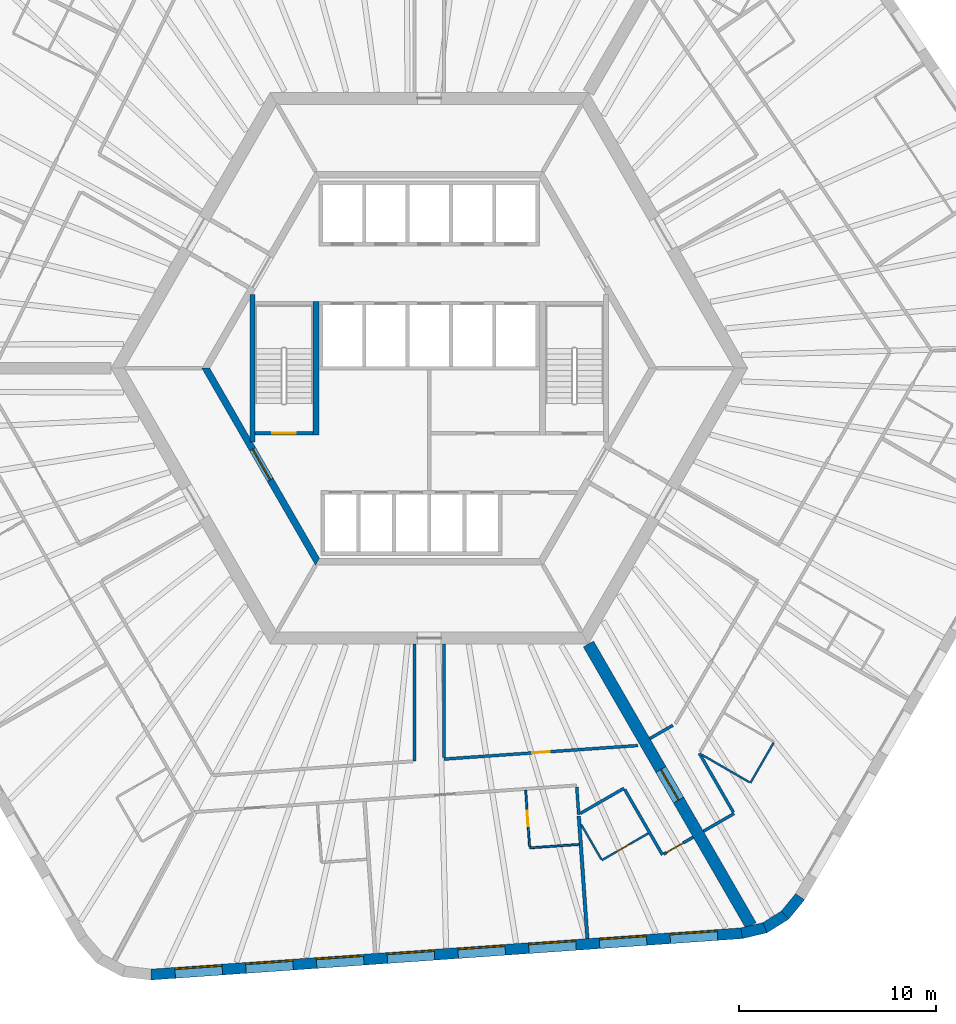
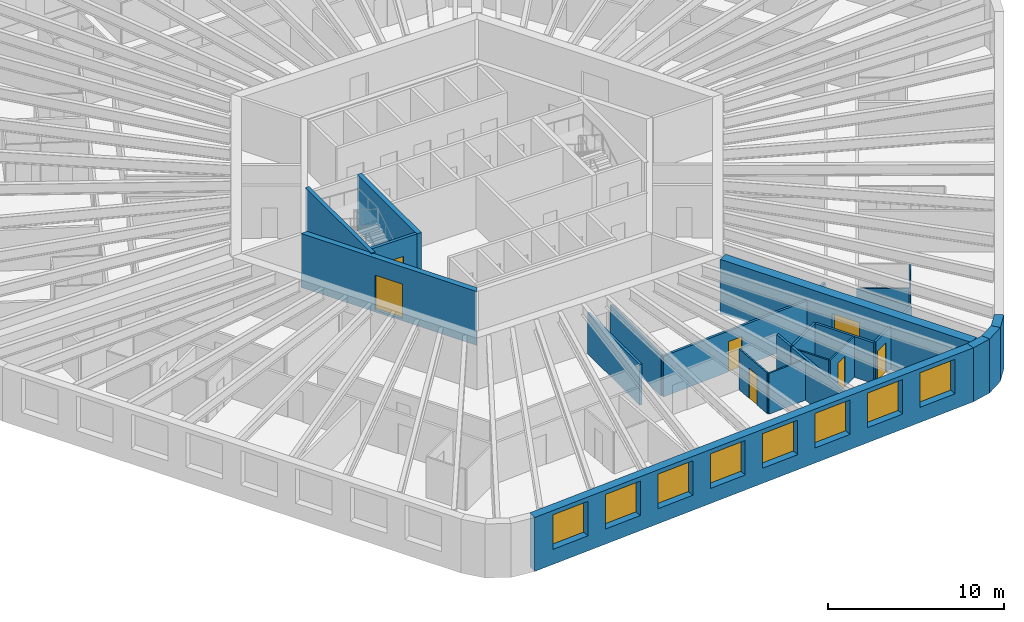
# One storey, part 4 of 12: 26 walls, 8 windows, 7 doors, 15 openings.
"""IFC4 building model written with IfcOpenShell, lengths in metres."""

from ifc_helpers import new_model, si_unit, direction, frame, frame_2d, origin, place, context, subcontext, project, spatial, polyline, rectangle, outline, extrude, material, layer, layer_set, type_object, element, fill, save


model = new_model("IFC4")

# Units and contexts
model_context = context("Model", 3, precision=1e-05, world=origin(), true_north=direction((0.0, 1.0)))
body_context = subcontext(model_context, "Body", "Model", "MODEL_VIEW")
ifc_project = project(units=[si_unit("LENGTHUNIT", "METRE"), si_unit("AREAUNIT", "SQUARE_METRE"), si_unit("VOLUMEUNIT", "CUBIC_METRE"), si_unit("PLANEANGLEUNIT", "RADIAN"), si_unit("MASSUNIT", "GRAM", prefix="KILO")], contexts=[model_context])

# Site, building, storey
site_placement = place(None, origin())
site = spatial("IfcSite", under=ifc_project, at=site_placement, CompositionType="ELEMENT")
building_placement = place(site_placement, origin())
building = spatial("IfcBuilding", under=site, at=building_placement, Name="Tarnside Tower", CompositionType="ELEMENT")
storey_placement = place(building_placement, frame((0.0, 0.0, 142.800048828125)))
storey = spatial("IfcBuildingStorey", under=building, at=storey_placement, Name="L33", CompositionType="ELEMENT", Elevation=142.800048828125)

# Wall
ifc_material_1 = material(Name="Gypsum board partition on steel studs", Category="steel")
ifc_layer_1 = layer(ifc_material_1, 0.10009765625)
ifc_layer_set_1 = layer_set([ifc_layer_1], Name="Bathroom wall 100")
wall_type_1 = type_object("IfcWallType", Name="Bathroom wall 100", PredefinedType="PARTITIONING", material=ifc_layer_set_1)
wall_1_placement = place(storey_placement, frame((7.60400390625, -24.178466796875, 0.0), z_axis=(0.0, 0.0, 1.0), x_axis=(-0.997565196586, -0.069740078583, 0.0)))
element("IfcWall", 1, at=wall_1_placement, inside=storey, type_object=wall_type_1, Name="Bathroom wall 10125", PredefinedType="PARTITIONING", context=body_context, shape_type="SweptSolid", body=[
    extrude(rectangle(XDim=2.510009765625, YDim=0.10009765625, at=frame_2d((1.2548828125, 0.0))), origin(), (0.0, 0.0, 1.0), 2.837646484375),
])

# Wall, opening, door
wall_2_placement = place(storey_placement, frame((5.0966796875, -24.3037109375, 0.0), z_axis=(0.0, 0.0, 1.0), x_axis=(-0.069804620828, 0.99756068232, 0.0)))
wall_2 = element("IfcWall", 2, at=wall_2_placement, inside=storey, type_object=wall_type_1, Name="Bathroom wall 10126", PredefinedType="PARTITIONING", context=body_context, shape_type="SweptSolid", body=[
    extrude(rectangle(XDim=2.875, YDim=0.10009765625, at=frame_2d((1.4375, 0.0))), origin(), (0.0, 0.0, 1.0), 2.837646484375),
])
opening_1_placement = place(wall_2_placement, frame((1.050048828125, 0.0, 0.0)))
opening_1 = element("IfcOpeningElement", 3, at=opening_1_placement, cuts=wall_2, Name="Opening D-B1", PredefinedType="OPENING", context=body_context, shape_type="SweptSolid", body=[
    extrude(rectangle(XDim=0.800048828125, YDim=2.10009765625, at=frame_2d((0.39990234375, 1.050048828125))), frame((0.0, 0.06005859375, 0.0), z_axis=(0.0, -1.0, 0.0), x_axis=(1.0, 0.0, 0.0)), (0.0, 0.0, 1.0), 0.1201171875),
])
ifc_material_2 = material(Name="Timber door leaf", Category="wood")
door_type_1 = type_object("IfcDoorType", Name="Bathroom door 800", OperationType="NOTDEFINED", PredefinedType="DOOR", material=ifc_material_2)
door_1_placement = place(opening_1_placement, origin())
door_1 = element("IfcDoor", 4, at=door_1_placement, inside=storey, type_object=door_type_1, Name="Bathroom door 10026", OperationType="SINGLE_SWING_RIGHT", OverallHeight=2.10009765625, OverallWidth=0.800048828125, PredefinedType="DOOR", context=body_context, shape_type="SweptSolid", body=[
    extrude(rectangle(XDim=0.800048828125, YDim=2.10009765625, at=frame_2d((0.39990234375, 1.050048828125))), frame((0.0, 0.02490234375, 0.0), z_axis=(0.0, -1.0, 0.0), x_axis=(1.0, 0.0, 0.0)), (0.0, 0.0, 1.0), 0.050048828125),
])
fill(opening_1, door_1)

wall_3_placement = place(storey_placement, frame((11.123291015625, -23.615966796875, 0.0), z_axis=(0.0, 0.0, 1.0), x_axis=(-0.866034909742, -0.499983534837, 0.0)))
wall_3 = element("IfcWall", 5, at=wall_3_placement, inside=storey, type_object=wall_type_1, Name="Bathroom wall 10130", PredefinedType="PARTITIONING", context=body_context, shape_type="SweptSolid", body=[
    extrude(rectangle(XDim=2.72509765625, YDim=0.10009765625, at=frame_2d((1.362548828125, 0.0))), origin(), (0.0, 0.0, 1.0), 2.837646484375),
])
opening_2_placement = place(wall_3_placement, frame((1.06494140625, 0.0, 0.0)))
opening_2 = element("IfcOpeningElement", 6, at=opening_2_placement, cuts=wall_3, Name="Opening D-B1", PredefinedType="OPENING", context=body_context, shape_type="SweptSolid", body=[
    extrude(rectangle(XDim=0.800048828125, YDim=2.10009765625, at=frame_2d((0.39990234375, 1.050048828125))), frame((0.0, 0.06005859375, 0.0), z_axis=(0.0, -1.0, 0.0), x_axis=(1.0, 0.0, 0.0)), (0.0, 0.0, 1.0), 0.1201171875),
])
door_2_placement = place(opening_2_placement, origin())
door_2 = element("IfcDoor", 7, at=door_2_placement, inside=storey, type_object=door_type_1, Name="Bathroom door 10028", OperationType="SINGLE_SWING_LEFT", OverallHeight=2.10009765625, OverallWidth=0.800048828125, PredefinedType="DOOR", context=body_context, shape_type="SweptSolid", body=[
    extrude(rectangle(XDim=0.800048828125, YDim=2.10009765625, at=frame_2d((0.39990234375, 1.050048828125))), frame((0.0, 0.02490234375, 0.0), z_axis=(0.0, -1.0, 0.0), x_axis=(1.0, 0.0, 0.0)), (0.0, 0.0, 1.0), 0.050048828125),
])
fill(opening_2, door_2)

# Walls
wall_4_placement = place(storey_placement, frame((8.73828125, -24.93505859375, 0.0), z_axis=(0.0, 0.0, 1.0), x_axis=(-0.500045446624, 0.865999163574, 0.0)))
element("IfcWall", 8, at=wall_4_placement, inside=storey, type_object=wall_type_1, Name="Bathroom wall 10131", PredefinedType="PARTITIONING", context=body_context, shape_type="SweptSolid", body=[
    extrude(rectangle(XDim=2.050048828125, YDim=0.10009765625, at=frame_2d((1.02490234375, 0.0))), origin(), (0.0, 0.0, 1.0), 2.837646484375),
])
wall_5_placement = place(storey_placement, frame((17.485107421875, -19.014892578125, 0.0), z_axis=(0.0, 0.0, 1.0), x_axis=(-0.500016218704, -0.866016039709, 0.0)))
element("IfcWall", 9, at=wall_5_placement, inside=storey, type_object=wall_type_1, Name="Bathroom wall 10133", PredefinedType="PARTITIONING", context=body_context, shape_type="SweptSolid", body=[
    extrude(rectangle(XDim=2.35009765625, YDim=0.10009765625, at=frame_2d((1.175048828125, 0.0))), origin(), (0.0, 0.0, 1.0), 2.837646484375),
])
wall_6_placement = place(storey_placement, frame((16.266845703125, -21.02490234375, 0.0), z_axis=(0.0, 0.0, 1.0), x_axis=(-0.866034573852, 0.49998411664, 0.0)))
element("IfcWall", 10, at=wall_6_placement, inside=storey, type_object=wall_type_1, Name="Bathroom wall 10134", PredefinedType="PARTITIONING", context=body_context, shape_type="SweptSolid", body=[
    extrude(rectangle(XDim=2.7998046875, YDim=0.10009765625, at=frame_2d((1.39990234375, 0.0))), origin(), (0.0, 0.0, 1.0), 2.837646484375),
])

# Wall, opening, door
ifc_material_3 = material(Name="Concrete C50/60", Category="concrete")
ifc_layer_2 = layer(ifc_material_3, 0.35009765625)
ifc_layer_set_2 = layer_set([ifc_layer_2], Name="Core block wall 350 C50/60")
wall_type_2 = type_object("IfcWallType", Name="Core block wall 350 C50/60", PredefinedType="SHEAR", material=ifc_layer_set_2)
wall_7_placement = place(storey_placement, frame((-11.344970703125, 0.0, -0.150146484375), z_axis=(0.0, 0.0, 1.0), x_axis=(0.499995046907, -0.866028263435, 0.0)))
wall_7 = element("IfcWall", 11, at=wall_7_placement, inside=storey, type_object=wall_type_2, Name="L33 core block wall face 3", PredefinedType="SHEAR", context=body_context, shape_type="SweptSolid", body=[
    extrude(outline(polyline([(-0.10107421875, -0.175048828125), (11.44580078125, -0.175048828125), (11.24365234375, 0.175048828125), (0.10107421875, 0.175048828125), (-0.10107421875, -0.175048828125)])), origin(), (0.0, 0.0, 1.0), 3.75),
])
opening_3_placement = place(wall_7_placement, frame((4.74365234375, 0.0, 0.14990234375)))
opening_3 = element("IfcOpeningElement", 12, at=opening_3_placement, cuts=wall_7, Name="Opening CD-FFL", PredefinedType="OPENING", context=body_context, shape_type="SweptSolid", body=[
    extrude(rectangle(XDim=1.800048828125, YDim=2.39990234375, at=frame_2d((0.89990234375, 1.199951171875))), frame((0.0, 0.18505859375, 0.0), z_axis=(0.0, -1.0, 0.0), x_axis=(1.0, 0.0, 0.0)), (0.0, 0.0, 1.0), 0.3701171875),
])
ifc_material_4 = material(Name="Steel fire door", Category="steel")
door_type_2 = type_object("IfcDoorType", Name="Firefighting lobby double door FD60S 1800x2400", OperationType="NOTDEFINED", PredefinedType="DOOR", material=ifc_material_4)
door_3_placement = place(opening_3_placement, origin())
door_3 = element("IfcDoor", 13, at=door_3_placement, inside=storey, type_object=door_type_2, Name="L33 lobby block door P3", OperationType="DOUBLE_DOOR_SINGLE_SWING", OverallHeight=2.39990234375, OverallWidth=1.800048828125, PredefinedType="DOOR", context=body_context, shape_type="SweptSolid", body=[
    extrude(rectangle(XDim=1.800048828125, YDim=2.39990234375, at=frame_2d((0.89990234375, 1.199951171875))), frame((0.0, 0.02490234375, 0.0), z_axis=(0.0, -1.0, 0.0), x_axis=(1.0, 0.0, 0.0)), (0.0, 0.0, 1.0), 0.050048828125),
])
fill(opening_3, door_3)

ifc_material_5 = material(Name="Concrete C80/95", Category="concrete")
ifc_layer_3 = layer(ifc_material_5, 0.60009765625)
ifc_layer_set_3 = layer_set([ifc_layer_3], Name="Core wall Z1 600 C80/95")
wall_type_3 = type_object("IfcWallType", Name="Core wall Z1 600 C80/95", PredefinedType="SHEAR", material=ifc_layer_set_3)
wall_8_placement = place(storey_placement, frame((8.0830078125, -14.0, -0.150146484375), z_axis=(0.0, 0.0, 1.0), x_axis=(0.499997680643, -0.866026742862, 0.0)))
wall_8 = element("IfcWall", 14, at=wall_8_placement, inside=storey, type_object=wall_type_3, Name="L33 spine wall 3", PredefinedType="SHEAR", context=body_context, shape_type="SweptSolid", body=[
    extrude(rectangle(XDim=16.5087890625, YDim=0.60009765625, at=frame_2d((8.25439453125, 0.0))), origin(), (0.0, 0.0, 1.0), 3.75),
])
opening_4_placement = place(wall_8_placement, frame((7.3544921875, 0.0, 0.14990234375)))
opening_4 = element("IfcOpeningElement", 15, at=opening_4_placement, cuts=wall_8, Name="Opening CD-SPN", PredefinedType="OPENING", context=body_context, shape_type="SweptSolid", body=[
    extrude(rectangle(XDim=1.800048828125, YDim=2.39990234375, at=frame_2d((0.89990234375, 1.199951171875))), frame((0.0, 0.31005859375, 0.0), z_axis=(0.0, -1.0, 0.0), x_axis=(1.0, 0.0, 0.0)), (0.0, 0.0, 1.0), 0.6201171875),
])
door_type_3 = type_object("IfcDoorType", Name="Spine passage double door FD60 1800x2400", OperationType="NOTDEFINED", PredefinedType="DOOR", material=ifc_material_4)
door_4_placement = place(opening_4_placement, origin())
door_4 = element("IfcDoor", 16, at=door_4_placement, inside=storey, type_object=door_type_3, Name="L33 spine passage door 3", OperationType="DOUBLE_DOOR_SINGLE_SWING", OverallHeight=2.39990234375, OverallWidth=1.800048828125, PredefinedType="DOOR", context=body_context, shape_type="SweptSolid", body=[
    extrude(rectangle(XDim=1.800048828125, YDim=2.39990234375, at=frame_2d((0.89990234375, 1.199951171875))), frame((0.0, 0.02490234375, 0.0), z_axis=(0.0, -1.0, 0.0), x_axis=(1.0, 0.0, 0.0)), (0.0, 0.0, 1.0), 0.050048828125),
])
fill(opening_4, door_4)

# Walls
ifc_layer_4 = layer(ifc_material_1, 0.14990234375)
ifc_layer_set_4 = layer_set([ifc_layer_4], Name="Corridor wall 150 EI 60")
wall_type_4 = type_object("IfcWallType", Name="Corridor wall 150 EI 60", PredefinedType="PARTITIONING", material=ifc_layer_set_4)
wall_9_placement = place(storey_placement, frame((7.48974609375, -21.25439453125, 0.0), z_axis=(0.0, 0.0, 1.0), x_axis=(0.069718673592, -0.997566692784, 0.0)))
element("IfcWall", 17, at=wall_9_placement, inside=storey, type_object=wall_type_4, Name="Corridor wall 10037", PredefinedType="PARTITIONING", context=body_context, shape_type="SweptSolid", body=[
    extrude(rectangle(XDim=1.40771484375, YDim=0.14990234375, at=frame_2d((0.703857421875, 0.0))), origin(), (0.0, 0.0, 1.0), 2.837646484375),
])
wall_10_placement = place(storey_placement, frame((9.925537109375, -21.391845703125, 0.0), z_axis=(0.0, 0.0, 1.0), x_axis=(0.500031306162, -0.866007328409, 0.0)))
element("IfcWall", 18, at=wall_10_placement, inside=storey, type_object=wall_type_4, Name="Corridor wall 10038", PredefinedType="PARTITIONING", context=body_context, shape_type="SweptSolid", body=[
    extrude(rectangle(XDim=3.831787109375, YDim=0.14990234375, at=frame_2d((1.916015625, 0.0))), origin(), (0.0, 0.0, 1.0), 2.837646484375),
])

# Wall, opening, door
wall_11_placement = place(storey_placement, frame((11.906494140625, -24.672607421875, 0.0), z_axis=(0.0, 0.0, 1.0), x_axis=(0.866013532718, 0.500020560727, 0.0)))
wall_11 = element("IfcWall", 19, at=wall_11_placement, inside=storey, type_object=wall_type_4, Name="Corridor wall 10039", PredefinedType="PARTITIONING", context=body_context, shape_type="SweptSolid", body=[
    extrude(rectangle(XDim=1.72509765625, YDim=0.14990234375, at=frame_2d((0.862548828125, 0.0))), origin(), (0.0, 0.0, 1.0), 2.837646484375),
])
opening_5_placement = place(wall_11_placement, frame((0.14990234375, 0.0, 0.0)))
opening_5 = element("IfcOpeningElement", 20, at=opening_5_placement, cuts=wall_11, Name="Opening D-E1", PredefinedType="OPENING", context=body_context, shape_type="SweptSolid", body=[
    extrude(rectangle(XDim=1.0, YDim=2.10009765625, at=frame_2d((0.5, 1.050048828125))), frame((0.0, 0.0849609375, 0.0), z_axis=(0.0, -1.0, 0.0), x_axis=(1.0, 0.0, 0.0)), (0.0, 0.0, 1.0), 0.169921875),
])
door_type_4 = type_object("IfcDoorType", Name="Unit entrance door 1000 FD30S", OperationType="NOTDEFINED", PredefinedType="DOOR", material=ifc_material_2)
door_5_placement = place(opening_5_placement, origin())
door_5 = element("IfcDoor", 21, at=door_5_placement, inside=storey, type_object=door_type_4, Name="Unit door 10027", OperationType="SINGLE_SWING_RIGHT", OverallHeight=2.10009765625, OverallWidth=1.0, PredefinedType="DOOR", context=body_context, shape_type="SweptSolid", body=[
    extrude(rectangle(XDim=1.0, YDim=2.10009765625, at=frame_2d((0.5, 1.050048828125))), frame((0.0, 0.02490234375, 0.0), z_axis=(0.0, -1.0, 0.0), x_axis=(1.0, 0.0, 0.0)), (0.0, 0.0, 1.0), 0.050048828125),
])
fill(opening_5, door_5)

# Walls
wall_12_placement = place(storey_placement, frame((7.659912109375, -22.61328125, 0.0), z_axis=(0.0, 0.0, 1.0), x_axis=(0.866003870164, 0.500037295471, 0.0)))
element("IfcWall", 22, at=wall_12_placement, inside=storey, type_object=wall_type_4, Name="Corridor wall 10040", PredefinedType="PARTITIONING", context=body_context, shape_type="SweptSolid", body=[
    extrude(rectangle(XDim=2.572998046875, YDim=0.14990234375, at=frame_2d((1.28662109375, 0.0))), origin(), (0.0, 0.0, 1.0), 2.837646484375),
])
wall_13_placement = place(storey_placement, frame((-0.75, -14.0, 0.0), z_axis=(0.0, 0.0, 1.0), x_axis=(0.0, -1.0, 0.0)))
element("IfcWall", 23, at=wall_13_placement, inside=storey, type_object=wall_type_4, Name="Corridor wall 10045", PredefinedType="PARTITIONING", context=body_context, shape_type="SweptSolid", body=[
    extrude(rectangle(XDim=5.950927734375, YDim=0.14990234375, at=frame_2d((2.9755859375, 0.0))), origin(), (0.0, 0.0, 1.0), 2.837646484375),
])

# Wall, opening, door
wall_14_placement = place(storey_placement, frame((10.58740234375, -19.158203125, 0.0), z_axis=(0.0, 0.0, 1.0), x_axis=(-0.997565137136, -0.069740928955, 0.0)))
wall_14 = element("IfcWall", 24, at=wall_14_placement, inside=storey, type_object=wall_type_4, Name="Corridor wall 10049", PredefinedType="PARTITIONING", context=body_context, shape_type="SweptSolid", body=[
    extrude(rectangle(XDim=9.861328125, YDim=0.14990234375, at=frame_2d((4.9306640625, 0.0))), origin(), (0.0, 0.0, 1.0), 2.837646484375),
])
opening_6_placement = place(wall_14_placement, frame((4.480712890625, 0.0, 0.0)))
opening_6 = element("IfcOpeningElement", 25, at=opening_6_placement, cuts=wall_14, Name="Opening D-S1", PredefinedType="OPENING", context=body_context, shape_type="SweptSolid", body=[
    extrude(rectangle(XDim=0.89990234375, YDim=2.10009765625, at=frame_2d((0.449951171875, 1.050048828125))), frame((0.0, 0.0849609375, 0.0), z_axis=(0.0, -1.0, 0.0), x_axis=(1.0, 0.0, 0.0)), (0.0, 0.0, 1.0), 0.169921875),
])
door_type_5 = type_object("IfcDoorType", Name="Service room door 900 FD30S", OperationType="NOTDEFINED", PredefinedType="DOOR", material=ifc_material_2)
door_6_placement = place(opening_6_placement, origin())
door_6 = element("IfcDoor", 26, at=door_6_placement, inside=storey, type_object=door_type_5, Name="Service door 10047", OperationType="SINGLE_SWING_RIGHT", OverallHeight=2.10009765625, OverallWidth=0.89990234375, PredefinedType="DOOR", context=body_context, shape_type="SweptSolid", body=[
    extrude(rectangle(XDim=0.89990234375, YDim=2.10009765625, at=frame_2d((0.449951171875, 1.050048828125))), frame((0.0, 0.02490234375, 0.0), z_axis=(0.0, -1.0, 0.0), x_axis=(1.0, 0.0, 0.0)), (0.0, 0.0, 1.0), 0.050048828125),
])
fill(opening_6, door_6)

# Walls
wall_15_placement = place(storey_placement, frame((0.75, -19.770751953125, 0.0), z_axis=(0.0, 0.0, 1.0), x_axis=(0.0, 1.0, 0.0)))
element("IfcWall", 27, at=wall_15_placement, inside=storey, type_object=wall_type_4, Name="Corridor wall 10050", PredefinedType="PARTITIONING", context=body_context, shape_type="SweptSolid", body=[
    extrude(rectangle(XDim=5.770751953125, YDim=0.14990234375, at=frame_2d((2.88525390625, 0.0))), origin(), (0.0, 0.0, 1.0), 2.837646484375),
])
wall_16_placement = place(storey_placement, frame((13.919921875, -23.510009765625, 0.0), z_axis=(0.0, 0.0, 1.0), x_axis=(0.866047807691, 0.499961193289, 0.0)))
element("IfcWall", 28, at=wall_16_placement, inside=storey, type_object=wall_type_4, Name="Corridor wall 10051", PredefinedType="PARTITIONING", context=body_context, shape_type="SweptSolid", body=[
    extrude(rectangle(XDim=1.800048828125, YDim=0.14990234375, at=frame_2d((0.89990234375, 0.0))), origin(), (0.0, 0.0, 1.0), 2.837646484375),
])
wall_17_placement = place(storey_placement, frame((15.44140625, -22.545166015625, 0.0), z_axis=(0.0, 0.0, 1.0), x_axis=(-0.500003541824, 0.866023358902, 0.0)))
element("IfcWall", 29, at=wall_17_placement, inside=storey, type_object=wall_type_4, Name="Corridor wall 10052", PredefinedType="PARTITIONING", context=body_context, shape_type="SweptSolid", body=[
    extrude(rectangle(XDim=3.45849609375, YDim=0.14990234375, at=frame_2d((1.729248046875, 0.0))), origin(), (0.0, 0.0, 1.0), 2.837646484375),
])
wall_18_placement = place(storey_placement, frame((12.3662109375, -18.131103515625, 0.0), z_axis=(0.0, 0.0, 1.0), x_axis=(-0.866043397086, -0.499968833392, 0.0)))
element("IfcWall", 30, at=wall_18_placement, inside=storey, type_object=wall_type_4, Name="Corridor wall 10073", PredefinedType="PARTITIONING", context=body_context, shape_type="SweptSolid", body=[
    extrude(rectangle(XDim=1.34375, YDim=0.14990234375, at=frame_2d((0.671875, 0.0))), origin(), (0.0, 0.0, 1.0), 2.837646484375),
])
ifc_layer_5 = layer(ifc_material_1, 0.179931640625)
ifc_layer_set_5 = layer_set([ifc_layer_5], Name="Demising wall 180 EI 60")
wall_type_5 = type_object("IfcWallType", Name="Demising wall 180 EI 60", PredefinedType="PARTITIONING", material=ifc_layer_set_5)
wall_19_placement = place(storey_placement, frame((8.028564453125, -28.96044921875, 0.0), z_axis=(0.0, 0.0, 1.0), x_axis=(-0.069750446855, 0.997564471683, 0.0)))
element("IfcWall", 31, at=wall_19_placement, inside=storey, type_object=wall_type_5, Name="Demising wall 10127", PredefinedType="PARTITIONING", context=body_context, shape_type="SweptSolid", body=[
    extrude(rectangle(XDim=6.2373046875, YDim=0.179931640625, at=frame_2d((3.11865234375, 0.0))), origin(), (0.0, 0.0, 1.0), 2.837646484375),
])

# Wall, opening, door
ifc_material_6 = material(Name="Concrete C40/50", Category="concrete")
ifc_layer_6 = layer(ifc_material_6, 0.199951171875)
ifc_layer_set_6 = layer_set([ifc_layer_6], Name="Lift shaft wall 200 C40/50")
wall_type_6 = type_object("IfcWallType", Name="Lift shaft wall 200 C40/50", PredefinedType="SHEAR", material=ifc_layer_set_6)
wall_20_placement = place(storey_placement, frame((-8.85009765625, -3.300048828125, -0.25), z_axis=(0.0, 0.0, 1.0), x_axis=(1.0, 0.0, 0.0)))
wall_20 = element("IfcWall", 32, at=wall_20_placement, inside=storey, type_object=wall_type_6, Name="L33 stair 2 enclosure cap wall s", PredefinedType="SHEAR", context=body_context, shape_type="SweptSolid", body=[
    extrude(rectangle(XDim=2.9501953125, YDim=0.199951171875, at=frame_2d((1.47509765625, 0.0))), origin(), (0.0, 0.0, 1.0), 3.89990234375),
])
opening_7_placement = place(wall_20_placement, frame((0.875, 0.0, 0.25)))
opening_7 = element("IfcOpeningElement", 33, at=opening_7_placement, cuts=wall_20, Name="Opening CD-STR", PredefinedType="OPENING", context=body_context, shape_type="SweptSolid", body=[
    extrude(rectangle(XDim=1.199951171875, YDim=2.39990234375, at=frame_2d((0.60009765625, 1.199951171875))), frame((0.0, 0.10986328125, 0.0), z_axis=(0.0, -1.0, 0.0), x_axis=(1.0, 0.0, 0.0)), (0.0, 0.0, 1.0), 0.219970703125),
])
door_type_6 = type_object("IfcDoorType", Name="Stair door FD60S 1200x2400", OperationType="NOTDEFINED", PredefinedType="DOOR", material=ifc_material_4)
door_7_placement = place(opening_7_placement, origin())
door_7 = element("IfcDoor", 34, at=door_7_placement, inside=storey, type_object=door_type_6, Name="L33 stair 2 door", OperationType="SINGLE_SWING_LEFT", OverallHeight=2.39990234375, OverallWidth=1.199951171875, PredefinedType="DOOR", context=body_context, shape_type="SweptSolid", body=[
    extrude(rectangle(XDim=1.199951171875, YDim=2.39990234375, at=frame_2d((0.60009765625, 1.199951171875))), frame((0.0, 0.02490234375, 0.0), z_axis=(0.0, -1.0, 0.0), x_axis=(1.0, 0.0, 0.0)), (0.0, 0.0, 1.0), 0.050048828125),
])
fill(opening_7, door_7)

# Walls
ifc_layer_7 = layer(ifc_material_6, 0.25)
ifc_layer_set_7 = layer_set([ifc_layer_7], Name="Stair enclosure wall 250 C40/50")
wall_type_7 = type_object("IfcWallType", Name="Stair enclosure wall 250 C40/50", PredefinedType="SHEAR", material=ifc_layer_set_7)
wall_21_placement = place(storey_placement, frame((-8.97509765625, -3.7548828125, -0.25), z_axis=(0.0, 0.0, 1.0), x_axis=(0.0, 1.0, 0.0)))
element("IfcWall", 35, at=wall_21_placement, inside=storey, type_object=wall_type_7, Name="L33 stair 2 enclosure wall outer", PredefinedType="SHEAR", context=body_context, shape_type="SweptSolid", body=[
    extrude(rectangle(XDim=7.509765625, YDim=0.25, at=frame_2d((3.7548828125, 0.0))), origin(), (0.0, 0.0, 1.0), 3.89990234375),
])
ifc_layer_8 = layer(ifc_material_6, 0.300048828125)
ifc_layer_set_8 = layer_set([ifc_layer_8], Name="Stair enclosure wall 300 C40/50")
wall_type_8 = type_object("IfcWallType", Name="Stair enclosure wall 300 C40/50", PredefinedType="SHEAR", material=ifc_layer_set_8)
wall_22_placement = place(storey_placement, frame((-5.75, -3.39990234375, -0.25), z_axis=(0.0, 0.0, 1.0), x_axis=(0.0, 1.0, 0.0)))
element("IfcWall", 36, at=wall_22_placement, inside=storey, type_object=wall_type_8, Name="L33 stair 2 enclosure wall inner", PredefinedType="SHEAR", context=body_context, shape_type="SweptSolid", body=[
    extrude(rectangle(XDim=6.7998046875, YDim=0.300048828125, at=frame_2d((3.39990234375, 0.0))), origin(), (0.0, 0.0, 1.0), 3.89990234375),
])

# Wall, openings, windows
ifc_material_7 = material(Name="Facing brick", Category="masonry")
ifc_layer_9 = layer(ifc_material_7, 0.10205078125)
ifc_material_8 = material(Name="Concrete C60/75 precast", Category="concrete")
ifc_layer_10 = layer(ifc_material_8, 0.347900390625)
ifc_material_9 = material(Name="Mineral wool insulation")
ifc_layer_11 = layer(ifc_material_9, 0.10009765625)
ifc_layer_set_9 = layer_set([ifc_layer_9, ifc_layer_10, ifc_layer_11], Name="Tube wall 550 brick faced")
wall_type_9 = type_object("IfcWallType", Name="Tube wall 550 brick faced", PredefinedType="SOLIDWALL", material=ifc_layer_set_9)
wall_23_placement = place(storey_placement, frame((-14.133544921875, -30.785888671875, -0.150146484375), z_axis=(0.0, 0.0, 1.0), x_axis=(0.997564037441, 0.069756657061, 0.0)))
wall_23 = element("IfcWall", 37, at=wall_23_placement, inside=storey, type_object=wall_type_9, Name="Tube wall L33 F4 flush 12", PredefinedType="SOLIDWALL", context=body_context, shape_type="SweptSolid", body=[
    extrude(outline(polyline([(-0.025634765625, -0.27490234375), (30.093505859375, -0.27490234375), (30.048583984375, 0.27490234375), (0.025634765625, 0.27490234375), (-0.025634765625, -0.27490234375)])), origin(), (0.0, 0.0, 1.0), 3.75),
])
opening_8_placement = place(wall_23_placement, frame((1.235595703125, 0.0, 1.050048828125)))
opening_8 = element("IfcOpeningElement", 38, at=opening_8_placement, cuts=wall_23, Name="Opening WH", PredefinedType="OPENING", context=body_context, shape_type="SweptSolid", body=[
    extrude(rectangle(XDim=2.39990234375, YDim=2.39990234375, at=frame_2d((1.199951171875, 1.199951171875))), frame((0.0, 0.28515625, 0.0), z_axis=(0.0, -1.0, 0.0), x_axis=(1.0, 0.0, 0.0)), (0.0, 0.0, 1.0), 0.570068359375),
])
opening_9_placement = place(wall_23_placement, frame((4.83544921875, 0.0, 1.050048828125)))
opening_9 = element("IfcOpeningElement", 39, at=opening_9_placement, cuts=wall_23, Name="Opening WH", PredefinedType="OPENING", context=body_context, shape_type="SweptSolid", body=[
    extrude(rectangle(XDim=2.39990234375, YDim=2.39990234375, at=frame_2d((1.199951171875, 1.199951171875))), frame((0.0, 0.28515625, 0.0), z_axis=(0.0, -1.0, 0.0), x_axis=(1.0, 0.0, 0.0)), (0.0, 0.0, 1.0), 0.570068359375),
])
opening_10_placement = place(wall_23_placement, frame((8.435546875, 0.0, 1.050048828125)))
opening_10 = element("IfcOpeningElement", 40, at=opening_10_placement, cuts=wall_23, Name="Opening WH", PredefinedType="OPENING", context=body_context, shape_type="SweptSolid", body=[
    extrude(rectangle(XDim=2.39990234375, YDim=2.39990234375, at=frame_2d((1.199951171875, 1.199951171875))), frame((0.0, 0.28515625, 0.0), z_axis=(0.0, -1.0, 0.0), x_axis=(1.0, 0.0, 0.0)), (0.0, 0.0, 1.0), 0.570068359375),
])
opening_11_placement = place(wall_23_placement, frame((12.035400390625, 0.0, 1.050048828125)))
opening_11 = element("IfcOpeningElement", 41, at=opening_11_placement, cuts=wall_23, Name="Opening WH", PredefinedType="OPENING", context=body_context, shape_type="SweptSolid", body=[
    extrude(rectangle(XDim=2.39990234375, YDim=2.39990234375, at=frame_2d((1.199951171875, 1.199951171875))), frame((0.0, 0.28515625, 0.0), z_axis=(0.0, -1.0, 0.0), x_axis=(1.0, 0.0, 0.0)), (0.0, 0.0, 1.0), 0.570068359375),
])
opening_12_placement = place(wall_23_placement, frame((15.635498046875, 0.0, 1.050048828125)))
opening_12 = element("IfcOpeningElement", 42, at=opening_12_placement, cuts=wall_23, Name="Opening WH", PredefinedType="OPENING", context=body_context, shape_type="SweptSolid", body=[
    extrude(rectangle(XDim=2.39990234375, YDim=2.39990234375, at=frame_2d((1.199951171875, 1.199951171875))), frame((0.0, 0.28515625, 0.0), z_axis=(0.0, -1.0, 0.0), x_axis=(1.0, 0.0, 0.0)), (0.0, 0.0, 1.0), 0.570068359375),
])
opening_13_placement = place(wall_23_placement, frame((19.235595703125, 0.0, 1.050048828125)))
opening_13 = element("IfcOpeningElement", 43, at=opening_13_placement, cuts=wall_23, Name="Opening WH", PredefinedType="OPENING", context=body_context, shape_type="SweptSolid", body=[
    extrude(rectangle(XDim=2.39990234375, YDim=2.39990234375, at=frame_2d((1.199951171875, 1.199951171875))), frame((0.0, 0.28515625, 0.0), z_axis=(0.0, -1.0, 0.0), x_axis=(1.0, 0.0, 0.0)), (0.0, 0.0, 1.0), 0.570068359375),
])
opening_14_placement = place(wall_23_placement, frame((22.83544921875, 0.0, 1.050048828125)))
opening_14 = element("IfcOpeningElement", 44, at=opening_14_placement, cuts=wall_23, Name="Opening WH", PredefinedType="OPENING", context=body_context, shape_type="SweptSolid", body=[
    extrude(rectangle(XDim=2.39990234375, YDim=2.39990234375, at=frame_2d((1.199951171875, 1.199951171875))), frame((0.0, 0.28515625, 0.0), z_axis=(0.0, -1.0, 0.0), x_axis=(1.0, 0.0, 0.0)), (0.0, 0.0, 1.0), 0.570068359375),
])
opening_15_placement = place(wall_23_placement, frame((26.435546875, 0.0, 1.050048828125)))
opening_15 = element("IfcOpeningElement", 45, at=opening_15_placement, cuts=wall_23, Name="Opening WH", PredefinedType="OPENING", context=body_context, shape_type="SweptSolid", body=[
    extrude(rectangle(XDim=2.39990234375, YDim=2.39990234375, at=frame_2d((1.199951171875, 1.199951171875))), frame((0.0, 0.28515625, 0.0), z_axis=(0.0, -1.0, 0.0), x_axis=(1.0, 0.0, 0.0)), (0.0, 0.0, 1.0), 0.570068359375),
])
ifc_material_10 = material(Name="Aluminium-framed double glazing", Category="aluminium")
window_type = type_object("IfcWindowType", Name="Hotel window 2400 x 2400", PartitioningType="DOUBLE_PANEL_VERTICAL", PredefinedType="WINDOW", material=ifc_material_10)
window_1_placement = place(opening_8_placement, frame((0.0, 0.205078125, 0.0)))
window_1 = element("IfcWindow", 46, at=window_1_placement, inside=storey, type_object=window_type, Name="E.WN.L33.F4.00", OverallHeight=2.39990234375, OverallWidth=2.39990234375, PartitioningType="DOUBLE_PANEL_VERTICAL", PredefinedType="WINDOW", context=body_context, shape_type="SweptSolid", body=[
    extrude(rectangle(XDim=2.39990234375, YDim=2.39990234375, at=frame_2d((1.199951171875, 1.199951171875))), frame((0.0, 0.030029296875, 0.0), z_axis=(0.0, -1.0, 0.0), x_axis=(1.0, 0.0, 0.0)), (0.0, 0.0, 1.0), 0.06005859375),
])
fill(opening_8, window_1)
window_2_placement = place(opening_9_placement, frame((0.0, 0.205078125, 0.0)))
window_2 = element("IfcWindow", 47, at=window_2_placement, inside=storey, type_object=window_type, Name="E.WN.L33.F4.01", OverallHeight=2.39990234375, OverallWidth=2.39990234375, PartitioningType="DOUBLE_PANEL_VERTICAL", PredefinedType="WINDOW", context=body_context, shape_type="SweptSolid", body=[
    extrude(rectangle(XDim=2.39990234375, YDim=2.39990234375, at=frame_2d((1.199951171875, 1.199951171875))), frame((0.0, 0.030029296875, 0.0), z_axis=(0.0, -1.0, 0.0), x_axis=(1.0, 0.0, 0.0)), (0.0, 0.0, 1.0), 0.06005859375),
])
fill(opening_9, window_2)
window_3_placement = place(opening_10_placement, frame((0.0, 0.205078125, 0.0)))
window_3 = element("IfcWindow", 48, at=window_3_placement, inside=storey, type_object=window_type, Name="E.WN.L33.F4.02", OverallHeight=2.39990234375, OverallWidth=2.39990234375, PartitioningType="DOUBLE_PANEL_VERTICAL", PredefinedType="WINDOW", context=body_context, shape_type="SweptSolid", body=[
    extrude(rectangle(XDim=2.39990234375, YDim=2.39990234375, at=frame_2d((1.199951171875, 1.199951171875))), frame((0.0, 0.030029296875, 0.0), z_axis=(0.0, -1.0, 0.0), x_axis=(1.0, 0.0, 0.0)), (0.0, 0.0, 1.0), 0.06005859375),
])
fill(opening_10, window_3)
window_4_placement = place(opening_11_placement, frame((0.0, 0.205078125, 0.0)))
window_4 = element("IfcWindow", 49, at=window_4_placement, inside=storey, type_object=window_type, Name="E.WN.L33.F4.03", OverallHeight=2.39990234375, OverallWidth=2.39990234375, PartitioningType="DOUBLE_PANEL_VERTICAL", PredefinedType="WINDOW", context=body_context, shape_type="SweptSolid", body=[
    extrude(rectangle(XDim=2.39990234375, YDim=2.39990234375, at=frame_2d((1.199951171875, 1.199951171875))), frame((0.0, 0.030029296875, 0.0), z_axis=(0.0, -1.0, 0.0), x_axis=(1.0, 0.0, 0.0)), (0.0, 0.0, 1.0), 0.06005859375),
])
fill(opening_11, window_4)
window_5_placement = place(opening_12_placement, frame((0.0, 0.205078125, 0.0)))
window_5 = element("IfcWindow", 50, at=window_5_placement, inside=storey, type_object=window_type, Name="E.WN.L33.F4.04", OverallHeight=2.39990234375, OverallWidth=2.39990234375, PartitioningType="DOUBLE_PANEL_VERTICAL", PredefinedType="WINDOW", context=body_context, shape_type="SweptSolid", body=[
    extrude(rectangle(XDim=2.39990234375, YDim=2.39990234375, at=frame_2d((1.199951171875, 1.199951171875))), frame((0.0, 0.030029296875, 0.0), z_axis=(0.0, -1.0, 0.0), x_axis=(1.0, 0.0, 0.0)), (0.0, 0.0, 1.0), 0.06005859375),
])
fill(opening_12, window_5)
window_6_placement = place(opening_13_placement, frame((0.0, 0.205078125, 0.0)))
window_6 = element("IfcWindow", 51, at=window_6_placement, inside=storey, type_object=window_type, Name="E.WN.L33.F4.05", OverallHeight=2.39990234375, OverallWidth=2.39990234375, PartitioningType="DOUBLE_PANEL_VERTICAL", PredefinedType="WINDOW", context=body_context, shape_type="SweptSolid", body=[
    extrude(rectangle(XDim=2.39990234375, YDim=2.39990234375, at=frame_2d((1.199951171875, 1.199951171875))), frame((0.0, 0.030029296875, 0.0), z_axis=(0.0, -1.0, 0.0), x_axis=(1.0, 0.0, 0.0)), (0.0, 0.0, 1.0), 0.06005859375),
])
fill(opening_13, window_6)
window_7_placement = place(opening_14_placement, frame((0.0, 0.205078125, 0.0)))
window_7 = element("IfcWindow", 52, at=window_7_placement, inside=storey, type_object=window_type, Name="E.WN.L33.F4.06", OverallHeight=2.39990234375, OverallWidth=2.39990234375, PartitioningType="DOUBLE_PANEL_VERTICAL", PredefinedType="WINDOW", context=body_context, shape_type="SweptSolid", body=[
    extrude(rectangle(XDim=2.39990234375, YDim=2.39990234375, at=frame_2d((1.199951171875, 1.199951171875))), frame((0.0, 0.030029296875, 0.0), z_axis=(0.0, -1.0, 0.0), x_axis=(1.0, 0.0, 0.0)), (0.0, 0.0, 1.0), 0.06005859375),
])
fill(opening_14, window_7)
window_8_placement = place(opening_15_placement, frame((0.0, 0.205078125, 0.0)))
window_8 = element("IfcWindow", 53, at=window_8_placement, inside=storey, type_object=window_type, Name="E.WN.L33.F4.07", OverallHeight=2.39990234375, OverallWidth=2.39990234375, PartitioningType="DOUBLE_PANEL_VERTICAL", PredefinedType="WINDOW", context=body_context, shape_type="SweptSolid", body=[
    extrude(rectangle(XDim=2.39990234375, YDim=2.39990234375, at=frame_2d((1.199951171875, 1.199951171875))), frame((0.0, 0.030029296875, 0.0), z_axis=(0.0, -1.0, 0.0), x_axis=(1.0, 0.0, 0.0)), (0.0, 0.0, 1.0), 0.06005859375),
])
fill(opening_15, window_8)

# Walls
wall_24_placement = place(storey_placement, frame((15.8642578125, -28.688232421875, -0.150146484375), z_axis=(0.0, 0.0, 1.0), x_axis=(0.973063591128, 0.230536868247, 0.0)))
element("IfcWall", 54, at=wall_24_placement, inside=storey, type_object=wall_type_9, Name="Tube wall L33 F4 chord 13", PredefinedType="SOLIDWALL", context=body_context, shape_type="SweptSolid", body=[
    extrude(outline(polyline([(-0.0224609375, -0.27490234375), (1.25341796875, -0.27490234375), (1.1630859375, 0.27490234375), (0.0224609375, 0.27490234375), (-0.0224609375, -0.27490234375)])), origin(), (0.0, 0.0, 1.0), 3.75),
])
wall_25_placement = place(storey_placement, frame((17.0400390625, -28.40966796875, -0.150146484375), z_axis=(0.0, 0.0, 1.0), x_axis=(0.847952888306, 0.530071598195, 0.0)))
element("IfcWall", 55, at=wall_25_placement, inside=storey, type_object=wall_type_9, Name="Tube wall L33 F4 chord 14", PredefinedType="SOLIDWALL", context=body_context, shape_type="SweptSolid", body=[
    extrude(outline(polyline([(-0.045166015625, -0.27490234375), (1.253173828125, -0.27490234375), (1.162841796875, 0.27490234375), (0.045166015625, 0.27490234375), (-0.045166015625, -0.27490234375)])), origin(), (0.0, 0.0, 1.0), 3.75),
])
wall_26_placement = place(storey_placement, frame((18.064453125, -27.769287109375, -0.150146484375), z_axis=(0.0, 0.0, 1.0), x_axis=(0.633842757806, 0.773461930787, 0.0)))
element("IfcWall", 56, at=wall_26_placement, inside=storey, type_object=wall_type_9, Name="Tube wall L33 F4 chord 15", PredefinedType="SOLIDWALL", context=body_context, shape_type="SweptSolid", body=[
    extrude(outline(polyline([(-0.045166015625, -0.27490234375), (1.230712890625, -0.27490234375), (1.185791015625, 0.27490234375), (0.045166015625, 0.27490234375), (-0.045166015625, -0.27490234375)])), origin(), (0.0, 0.0, 1.0), 3.75),
])

save(model, "model.ifc")
